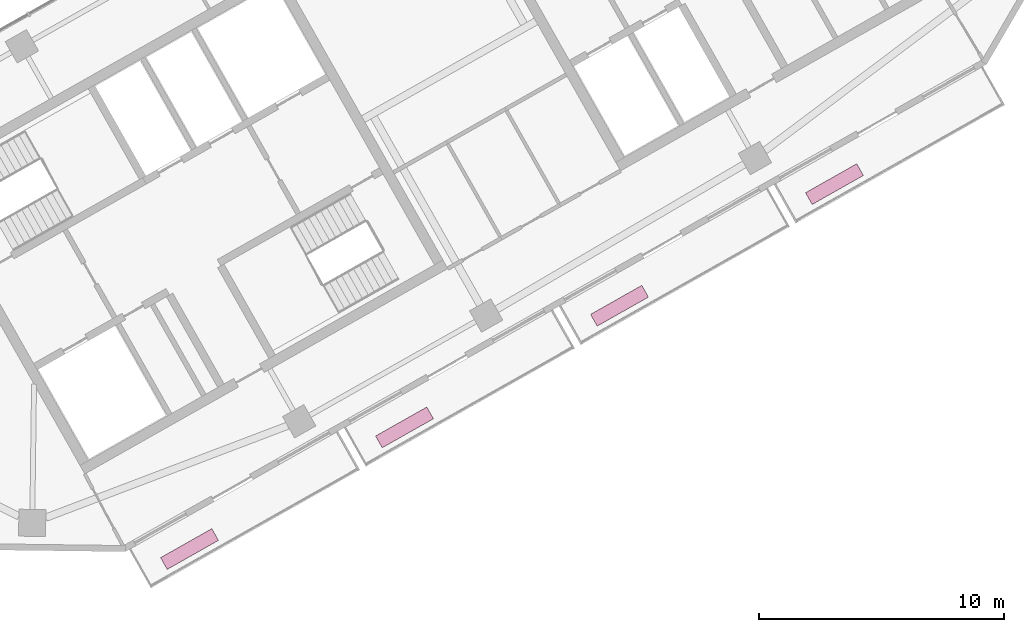
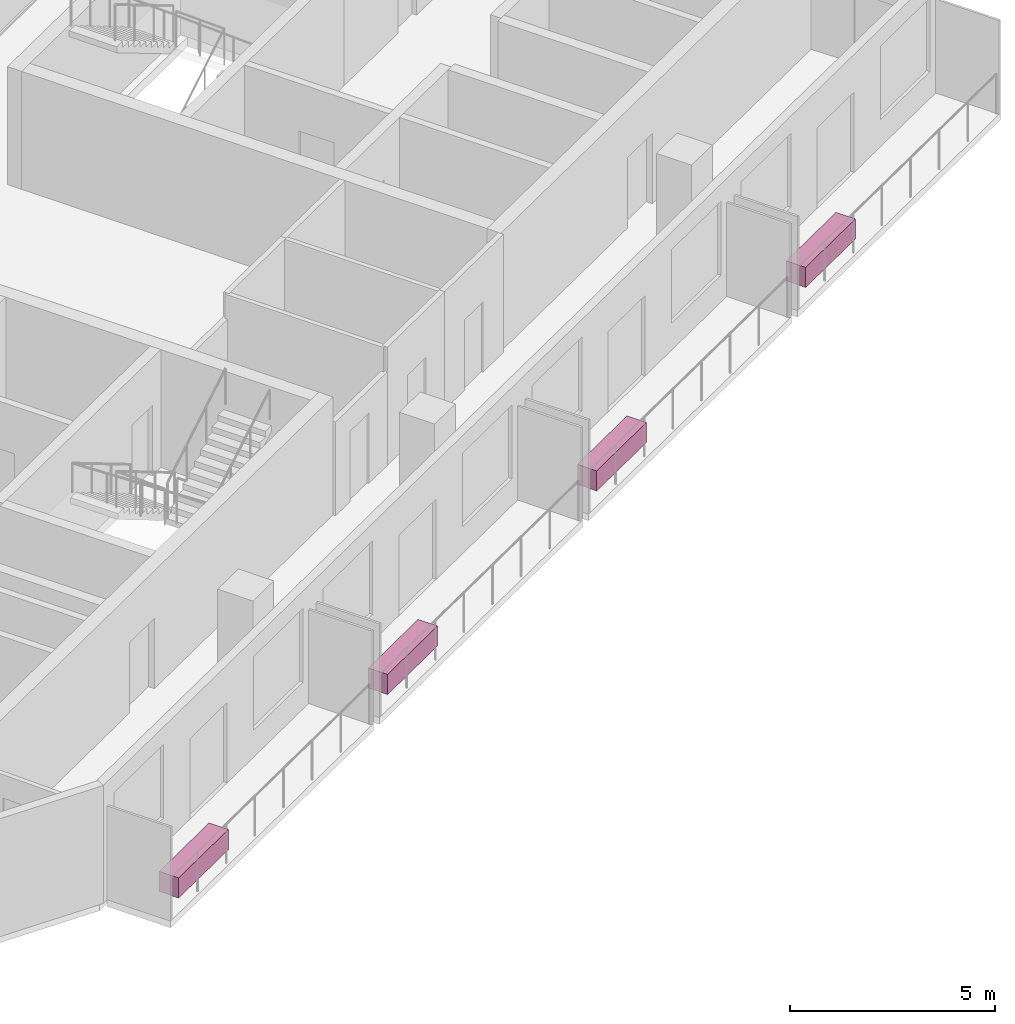
# One storey, part 10 of 10: 4 furnishings.
"""IFC4 building model written with IfcOpenShell, lengths in metres."""

from ifc_helpers import new_model, si_unit, direction, frame, origin, origin_2d, place, context, subcontext, project, spatial, rectangle, extrude, material, type_object, element, save


model = new_model("IFC4")

# Units and contexts
model_context = context("Model", 3, precision=1e-05, world=origin(), true_north=direction((0.0, 1.0)))
body_context = subcontext(model_context, "Body", "Model", "MODEL_VIEW")
ifc_project = project(units=[si_unit("LENGTHUNIT", "METRE"), si_unit("AREAUNIT", "SQUARE_METRE"), si_unit("VOLUMEUNIT", "CUBIC_METRE"), si_unit("PLANEANGLEUNIT", "RADIAN"), si_unit("MASSUNIT", "GRAM", prefix="KILO")], contexts=[model_context])

# Site, building, storey
site_placement = place(None, origin())
site = spatial("IfcSite", under=ifc_project, at=site_placement, CompositionType="ELEMENT")
building_placement = place(site_placement, origin())
building = spatial("IfcBuilding", under=site, at=building_placement, Name="Binnacle Exchange Tower", CompositionType="ELEMENT")
storey_placement = place(building_placement, frame((0.0, 0.0, 335.5)))
storey = spatial("IfcBuildingStorey", under=building, at=storey_placement, Name="L76", CompositionType="ELEMENT", Elevation=335.5)

# Furnishings
ifc_material = material(Name="Concrete C35/45", Category="concrete")
furnishing_element_type = type_object("IfcFurnishingElementType", Name="PLANTER 2400x550x600", material=ifc_material)
for number, where, z_axis, x_axis, name in (
    (1, (-35.44677734375, 26.428466796875, 0.0), (0.0, 0.0, 1.0), (0.87035569594, 0.492423560103, 0.0), "Planter H07-B00a L76"),
    (2, (-26.683837890625, 31.38623046875, 0.0), (0.0, 0.0, 1.0), (0.87035569594, 0.492423560103, 0.0), "Planter H07-B01a L76"),
    (3, (-17.9208984375, 36.34423828125, 0.0), (0.0, 0.0, 1.0), (0.87035569594, 0.492423560103, 0.0), "Planter H07-B02a L76"),
    (4, (-9.158203125, 41.302001953125, 0.0), (0.0, 0.0, 1.0), (0.87035569594, 0.492423560103, 0.0), "Planter H07-B03a L76"),
):
    element("IfcFurnishingElement", number, at=place(storey_placement, frame(where, z_axis=z_axis, x_axis=x_axis)), inside=storey, type_object=furnishing_element_type, Name=name, ObjectType="PLANTER", context=body_context, shape_type="SweptSolid", body=[
        extrude(rectangle(XDim=2.39990234375, YDim=0.550048828125, at=origin_2d()), origin(), (0.0, 0.0, 1.0), 0.60009765625),
    ])

save(model, "model.ifc")
